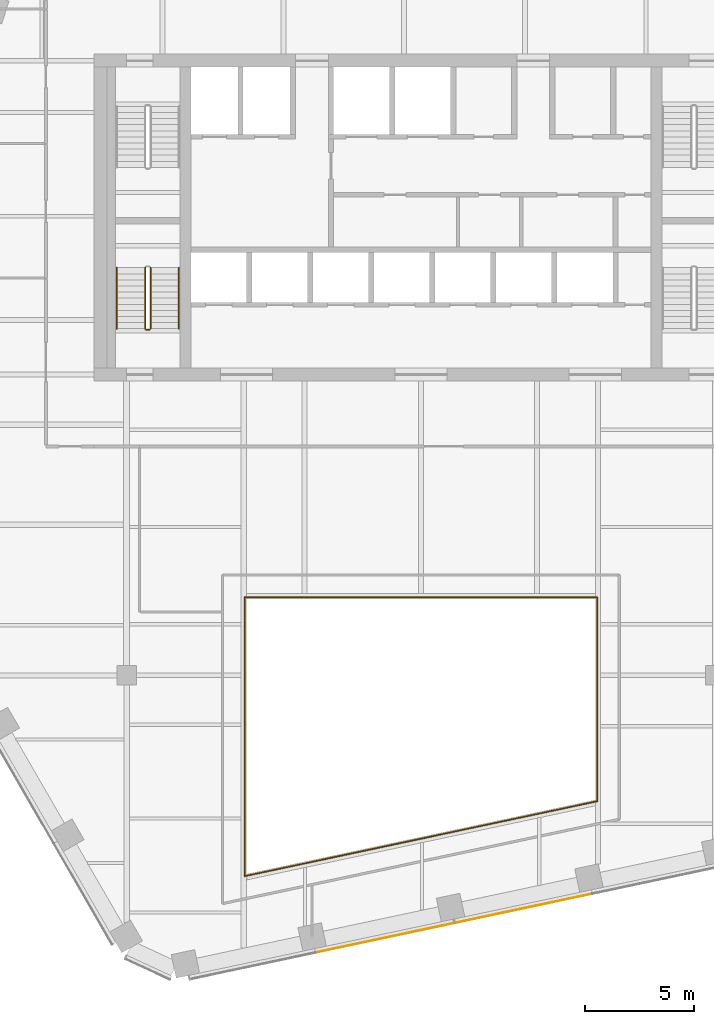
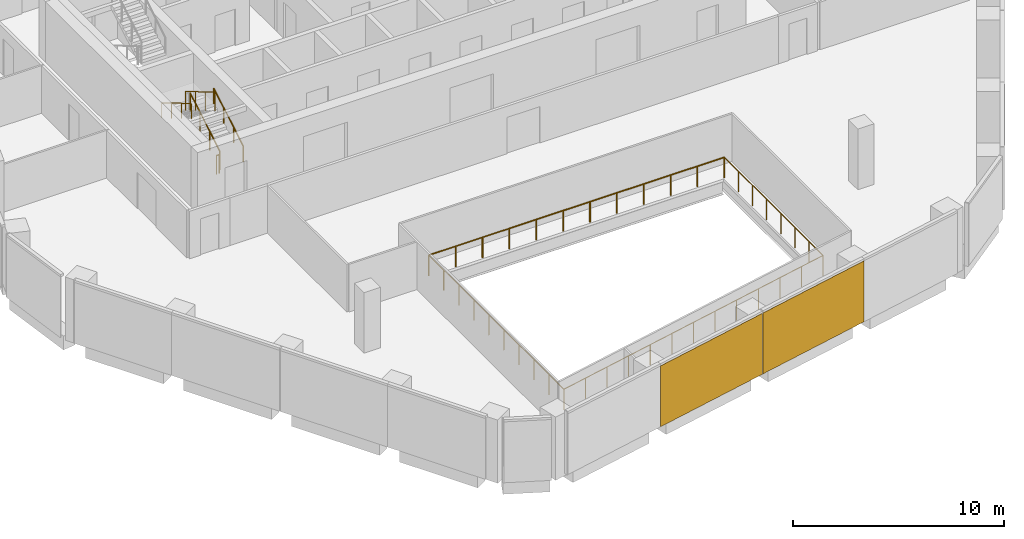
# One storey, part 12 of 15: 9 railings, 2 coverings, 1 element without a shape of its own.
"""IFC4 building model written with IfcOpenShell, lengths in metres."""

from ifc_helpers import new_model, si_unit, direction, frame, origin, origin_2d, place, context, subcontext, project, spatial, rectangle, circle, extrude, material, layer, layer_set, type_object, element, aggregate, save


model = new_model("IFC4")

# Units and contexts
model_context = context("Model", 3, precision=1e-05, world=origin(), true_north=direction((0.0, 1.0)))
body_context = subcontext(model_context, "Body", "Model", "MODEL_VIEW")
ifc_project = project(units=[si_unit("LENGTHUNIT", "METRE"), si_unit("AREAUNIT", "SQUARE_METRE"), si_unit("VOLUMEUNIT", "CUBIC_METRE"), si_unit("PLANEANGLEUNIT", "RADIAN"), si_unit("MASSUNIT", "GRAM", prefix="KILO")], contexts=[model_context])

# Site, building, storey
site_placement = place(None, origin())
site = spatial("IfcSite", under=ifc_project, at=site_placement, CompositionType="ELEMENT")
building_placement = place(site_placement, origin())
building = spatial("IfcBuilding", under=site, at=building_placement, Name="Isthmus Gate Tower", CompositionType="ELEMENT")
storey_placement = place(building_placement, frame((0.0, 0.0, 227.25)))
storey = spatial("IfcBuildingStorey", under=building, at=storey_placement, Name="L57", CompositionType="ELEMENT", Elevation=227.25)

# Railings
ifc_material_1 = material(Name="Laminated toughened glass balustrade with steel rail", Category="steel")
railing_type_1 = type_object("IfcRailingType", Name="ATRIUM GUARD GLASS BALUSTRADE 1200", PredefinedType="GUARDRAIL", material=ifc_material_1)
railing_1_placement = place(storey_placement, frame((-8.080078125, -22.7099609375, 0.0)))
element("IfcRailing", 1, at=railing_1_placement, inside=storey, type_object=railing_type_1, Name="L57 atrium guard", PredefinedType="GUARDRAIL", context=body_context, shape_type="SweptSolid", body=[
    extrude(circle(Radius=0.02490234375, at=origin_2d()), frame((0.0, 0.0, 1.1748046875), z_axis=(0.0, 1.0, 0.0), x_axis=(-1.0, 0.0, 0.0)), (0.0, 0.0, 1.0), 12.7900390625),
    extrude(circle(Radius=0.02490234375, at=origin_2d()), origin(), (0.0, 0.0, 1.0), 1.14990234375),
    extrude(circle(Radius=0.02490234375, at=origin_2d()), frame((0.0, 1.421142578125, 0.0)), (0.0, 0.0, 1.0), 1.14990234375),
    extrude(circle(Radius=0.02490234375, at=origin_2d()), frame((0.0, 2.84228515625, 0.0)), (0.0, 0.0, 1.0), 1.14990234375),
    extrude(circle(Radius=0.02490234375, at=origin_2d()), frame((0.0, 4.263427734375, 0.0)), (0.0, 0.0, 1.0), 1.14990234375),
    extrude(circle(Radius=0.02490234375, at=origin_2d()), frame((0.0, 5.6845703125, 0.0)), (0.0, 0.0, 1.0), 1.14990234375),
    extrude(circle(Radius=0.02490234375, at=origin_2d()), frame((0.0, 7.10546875, 0.0)), (0.0, 0.0, 1.0), 1.14990234375),
    extrude(circle(Radius=0.02490234375, at=origin_2d()), frame((0.0, 8.526611328125, 0.0)), (0.0, 0.0, 1.0), 1.14990234375),
    extrude(circle(Radius=0.02490234375, at=origin_2d()), frame((0.0, 9.94775390625, 0.0)), (0.0, 0.0, 1.0), 1.14990234375),
    extrude(circle(Radius=0.02490234375, at=origin_2d()), frame((0.0, 11.368896484375, 0.0)), (0.0, 0.0, 1.0), 1.14990234375),
    extrude(circle(Radius=0.02490234375, at=origin_2d()), frame((0.0, 12.7900390625, 0.0)), (0.0, 0.0, 1.0), 1.14990234375),
])
railing_2_placement = place(storey_placement, frame((-8.080078125, -9.919921875, 0.0)))
element("IfcRailing", 2, at=railing_2_placement, inside=storey, type_object=railing_type_1, Name="L57 atrium guard", PredefinedType="GUARDRAIL", context=body_context, shape_type="SweptSolid", body=[
    extrude(circle(Radius=0.02490234375, at=origin_2d()), frame((0.0, 0.0, 1.1748046875), z_axis=(1.0, 0.0, 0.0), x_axis=(0.0, 1.0, 0.0)), (0.0, 0.0, 1.0), 16.16015625),
    extrude(circle(Radius=0.02490234375, at=origin_2d()), origin(), (0.0, 0.0, 1.0), 1.14990234375),
    extrude(circle(Radius=0.02490234375, at=origin_2d()), frame((1.468994140625, 0.0, 0.0)), (0.0, 0.0, 1.0), 1.14990234375),
    extrude(circle(Radius=0.02490234375, at=origin_2d()), frame((2.938232421875, 0.0, 0.0)), (0.0, 0.0, 1.0), 1.14990234375),
    extrude(circle(Radius=0.02490234375, at=origin_2d()), frame((4.4072265625, 0.0, 0.0)), (0.0, 0.0, 1.0), 1.14990234375),
    extrude(circle(Radius=0.02490234375, at=origin_2d()), frame((5.87646484375, 0.0, 0.0)), (0.0, 0.0, 1.0), 1.14990234375),
    extrude(circle(Radius=0.02490234375, at=origin_2d()), frame((7.345458984375, 0.0, 0.0)), (0.0, 0.0, 1.0), 1.14990234375),
    extrude(circle(Radius=0.02490234375, at=origin_2d()), frame((8.814697265625, 0.0, 0.0)), (0.0, 0.0, 1.0), 1.14990234375),
    extrude(circle(Radius=0.02490234375, at=origin_2d()), frame((10.28369140625, 0.0, 0.0)), (0.0, 0.0, 1.0), 1.14990234375),
    extrude(circle(Radius=0.02490234375, at=origin_2d()), frame((11.7529296875, 0.0, 0.0)), (0.0, 0.0, 1.0), 1.14990234375),
    extrude(circle(Radius=0.02490234375, at=origin_2d()), frame((13.221923828125, 0.0, 0.0)), (0.0, 0.0, 1.0), 1.14990234375),
    extrude(circle(Radius=0.02490234375, at=origin_2d()), frame((14.691162109375, 0.0, 0.0)), (0.0, 0.0, 1.0), 1.14990234375),
    extrude(circle(Radius=0.02490234375, at=origin_2d()), frame((16.16015625, 0.0, 0.0)), (0.0, 0.0, 1.0), 1.14990234375),
])
railing_3_placement = place(storey_placement, frame((8.080078125, -9.919921875, 0.0)))
element("IfcRailing", 3, at=railing_3_placement, inside=storey, type_object=railing_type_1, Name="L57 atrium guard", PredefinedType="GUARDRAIL", context=body_context, shape_type="SweptSolid", body=[
    extrude(circle(Radius=0.02490234375, at=origin_2d()), frame((0.0, 0.0, 1.1748046875), z_axis=(0.0, -1.0, 0.0), x_axis=(1.0, 0.0, 0.0)), (0.0, 0.0, 1.0), 9.35498046875),
    extrude(circle(Radius=0.02490234375, at=origin_2d()), origin(), (0.0, 0.0, 1.0), 1.14990234375),
    extrude(circle(Radius=0.02490234375, at=origin_2d()), frame((0.0, -1.33642578125, 0.0)), (0.0, 0.0, 1.0), 1.14990234375),
    extrude(circle(Radius=0.02490234375, at=origin_2d()), frame((0.0, -2.6728515625, 0.0)), (0.0, 0.0, 1.0), 1.14990234375),
    extrude(circle(Radius=0.02490234375, at=origin_2d()), frame((0.0, -4.00927734375, 0.0)), (0.0, 0.0, 1.0), 1.14990234375),
    extrude(circle(Radius=0.02490234375, at=origin_2d()), frame((0.0, -5.345703125, 0.0)), (0.0, 0.0, 1.0), 1.14990234375),
    extrude(circle(Radius=0.02490234375, at=origin_2d()), frame((0.0, -6.68212890625, 0.0)), (0.0, 0.0, 1.0), 1.14990234375),
    extrude(circle(Radius=0.02490234375, at=origin_2d()), frame((0.0, -8.0185546875, 0.0)), (0.0, 0.0, 1.0), 1.14990234375),
    extrude(circle(Radius=0.02490234375, at=origin_2d()), frame((0.0, -9.35498046875, 0.0)), (0.0, 0.0, 1.0), 1.14990234375),
])
railing_4_placement = place(storey_placement, frame((8.080078125, -19.27490234375, 0.0)))
element("IfcRailing", 4, at=railing_4_placement, inside=storey, type_object=railing_type_1, Name="L57 atrium guard", PredefinedType="GUARDRAIL", context=body_context, shape_type="SweptSolid", body=[
    extrude(circle(Radius=0.02490234375, at=origin_2d()), frame((0.0, 0.0, 1.1748046875), z_axis=(-0.978146230105, -0.207918139013, 0.0), x_axis=(0.207918139013, -0.978146230105, 0.0)), (0.0, 0.0, 1.0), 16.521240234375),
    extrude(circle(Radius=0.02490234375, at=origin_2d()), origin(), (0.0, 0.0, 1.0), 1.14990234375),
    extrude(circle(Radius=0.02490234375, at=origin_2d()), frame((-1.3466796875, -0.2861328125, 0.0)), (0.0, 0.0, 1.0), 1.14990234375),
    extrude(circle(Radius=0.02490234375, at=origin_2d()), frame((-2.693359375, -0.572509765625, 0.0)), (0.0, 0.0, 1.0), 1.14990234375),
    extrude(circle(Radius=0.02490234375, at=origin_2d()), frame((-4.0400390625, -0.85888671875, 0.0)), (0.0, 0.0, 1.0), 1.14990234375),
    extrude(circle(Radius=0.02490234375, at=origin_2d()), frame((-5.38671875, -1.14501953125, 0.0)), (0.0, 0.0, 1.0), 1.14990234375),
    extrude(circle(Radius=0.02490234375, at=origin_2d()), frame((-6.7333984375, -1.43115234375, 0.0)), (0.0, 0.0, 1.0), 1.14990234375),
    extrude(circle(Radius=0.02490234375, at=origin_2d()), frame((-8.080078125, -1.717529296875, 0.0)), (0.0, 0.0, 1.0), 1.14990234375),
    extrude(circle(Radius=0.02490234375, at=origin_2d()), frame((-9.4267578125, -2.00390625, 0.0)), (0.0, 0.0, 1.0), 1.14990234375),
    extrude(circle(Radius=0.02490234375, at=origin_2d()), frame((-10.7734375, -2.2900390625, 0.0)), (0.0, 0.0, 1.0), 1.14990234375),
    extrude(circle(Radius=0.02490234375, at=origin_2d()), frame((-12.1201171875, -2.576171875, 0.0)), (0.0, 0.0, 1.0), 1.14990234375),
    extrude(circle(Radius=0.02490234375, at=origin_2d()), frame((-13.466796875, -2.862548828125, 0.0)), (0.0, 0.0, 1.0), 1.14990234375),
    extrude(circle(Radius=0.02490234375, at=origin_2d()), frame((-14.8134765625, -3.14892578125, 0.0)), (0.0, 0.0, 1.0), 1.14990234375),
    extrude(circle(Radius=0.02490234375, at=origin_2d()), frame((-16.16015625, -3.43505859375, 0.0)), (0.0, 0.0, 1.0), 1.14990234375),
])

# Curtain wall, coverings
ifc_material_2 = material(Name="Aluminium, pale champagne anodised", Category="aluminium")
ifc_layer_1 = layer(ifc_material_2, 0.199951171875)
ifc_layer_set_1 = layer_set([ifc_layer_1], Name="CW-1 UNITISED CURTAIN WALL 200 DEEP")
curtain_wall_type = type_object("IfcCurtainWallType", Name="CW-1 UNITISED CURTAIN WALL 200 DEEP", PredefinedType="NOTDEFINED", material=ifc_layer_set_1)
curtain_wall_placement = place(storey_placement, origin())
curtain_wall = element("IfcCurtainWall", 5, at=curtain_wall_placement, inside=storey, type_object=curtain_wall_type, Name="CW-1 S L57", PredefinedType="NOTDEFINED")
ifc_material_3 = material(Name="Aluminium composite panel, pale champagne anodised", Category="aluminium")
ifc_layer_2 = layer(ifc_material_3, 0.031982421875)
ifc_layer_set_2 = layer_set([ifc_layer_2], Name="CW-1 PALE METAL PANEL 32")
covering_type = type_object("IfcCoveringType", Name="CW-1 PALE METAL PANEL 32", PredefinedType="CLADDING", material=ifc_layer_set_2)
covering_1_placement = place(storey_placement, frame((-1.66259765625, -25.54150390625, 0.0), z_axis=(0.0, 0.0, 1.0), x_axis=(0.978147600734, 0.207911690818, 0.0)))
covering_1 = element("IfcCovering", 6, at=covering_1_placement, type_object=covering_type, Name="CW-1 pale metal panel", PredefinedType="CLADDING", context=body_context, shape_type="SweptSolid", body=[
    extrude(rectangle(XDim=6.491943359375, YDim=0.031982421875, at=origin_2d()), origin(), (0.0, 0.0, 1.0), 3.52001953125),
])
covering_2_placement = place(storey_placement, frame((4.716796875, -24.185546875, 0.0), z_axis=(0.0, 0.0, 1.0), x_axis=(0.978147600734, 0.207911690818, 0.0)))
covering_2 = element("IfcCovering", 7, at=covering_2_placement, type_object=covering_type, Name="CW-1 pale metal panel", PredefinedType="CLADDING", context=body_context, shape_type="SweptSolid", body=[
    extrude(rectangle(XDim=6.431884765625, YDim=0.031982421875, at=origin_2d()), origin(), (0.0, 0.0, 1.0), 3.52001953125),
])
aggregate(curtain_wall, [covering_1, covering_2])

# Railings
ifc_material_4 = material(Name="Stainless steel balustrade", Category="steel")
railing_type_2 = type_object("IfcRailingType", Name="STAIR GUARD 1100", PredefinedType="GUARDRAIL", material=ifc_material_4)
railing_5_placement = place(storey_placement, frame((-12.39990234375, 2.39990234375, 0.166015625)))
element("IfcRailing", 8, at=railing_5_placement, inside=storey, type_object=railing_type_2, Name="L57 ST7 stair guard 1", PredefinedType="GUARDRAIL", context=body_context, shape_type="SweptSolid", body=[
    extrude(circle(Radius=0.02392578125, at=origin_2d()), frame((0.0, 0.0, 1.076171875), z_axis=(0.0, 0.860339051648, 0.50972219513), x_axis=(-1.0, 0.0, 0.0)), (0.0, 0.0, 1.0), 3.254638671875),
    extrude(circle(Radius=0.02099609375, at=origin_2d()), origin(), (0.0, 0.0, 1.0), 1.052001953125),
    extrude(circle(Radius=0.02099609375, at=origin_2d()), frame((0.0, 0.933349609375, 0.552978515625)), (0.0, 0.0, 1.0), 1.052001953125),
    extrude(circle(Radius=0.02099609375, at=origin_2d()), frame((0.0, 1.86669921875, 1.10595703125)), (0.0, 0.0, 1.0), 1.052001953125),
    extrude(circle(Radius=0.02099609375, at=origin_2d()), frame((0.0, 2.800048828125, 1.658935546875)), (0.0, 0.0, 1.0), 1.052001953125),
])
railing_6_placement = place(storey_placement, frame((-12.64990234375, 5.199951171875, 1.990966796875)))
element("IfcRailing", 9, at=railing_6_placement, inside=storey, type_object=railing_type_2, Name="L57 ST7 stair guard 3", PredefinedType="GUARDRAIL", context=body_context, shape_type="SweptSolid", body=[
    extrude(circle(Radius=0.02392578125, at=origin_2d()), frame((0.0, 0.0, 1.076171875), z_axis=(0.0, -0.860339051648, 0.50972219513), x_axis=(1.0, 0.0, 0.0)), (0.0, 0.0, 1.0), 3.254638671875),
    extrude(circle(Radius=0.02099609375, at=origin_2d()), origin(), (0.0, 0.0, 1.0), 1.052001953125),
    extrude(circle(Radius=0.02099609375, at=origin_2d()), frame((0.0, -0.933349609375, 0.552978515625)), (0.0, 0.0, 1.0), 1.052001953125),
    extrude(circle(Radius=0.02099609375, at=origin_2d()), frame((0.0, -1.86669921875, 1.10595703125)), (0.0, 0.0, 1.0), 1.052001953125),
    extrude(circle(Radius=0.02099609375, at=origin_2d()), frame((0.0, -2.800048828125, 1.658935546875)), (0.0, 0.0, 1.0), 1.052001953125),
])
railing_7_placement = place(storey_placement, frame((-12.449951171875, 2.35009765625, 0.0)))
element("IfcRailing", 10, at=railing_7_placement, inside=storey, type_object=railing_type_2, Name="L57 ST7 stair guard 4", PredefinedType="GUARDRAIL", context=body_context, shape_type="SweptSolid", body=[
    extrude(circle(Radius=0.02392578125, at=origin_2d()), frame((0.0, 0.0, 1.076171875), z_axis=(-1.0, 0.0, 0.0), x_axis=(0.0, -1.0, 0.0)), (0.0, 0.0, 1.0), 0.150146484375),
    extrude(circle(Radius=0.02099609375, at=origin_2d()), origin(), (0.0, 0.0, 1.0), 1.052001953125),
    extrude(circle(Radius=0.02099609375, at=origin_2d()), frame((-0.150146484375, 0.0, 0.0)), (0.0, 0.0, 1.0), 1.052001953125),
])
ifc_material_5 = material(Name="Stainless steel handrail", Category="steel")
railing_type_3 = type_object("IfcRailingType", Name="STAIR HANDRAIL 900", PredefinedType="HANDRAIL", material=ifc_material_5)
railing_8_placement = place(storey_placement, frame((-11.10009765625, 2.39990234375, 0.166015625)))
element("IfcRailing", 11, at=railing_8_placement, inside=storey, type_object=railing_type_3, Name="L57 ST7 stair handrail 1", PredefinedType="HANDRAIL", context=body_context, shape_type="SweptSolid", body=[
    extrude(circle(Radius=0.02392578125, at=origin_2d()), frame((0.0, 0.0, 0.8759765625), z_axis=(0.0, 0.860339051648, 0.50972219513), x_axis=(-1.0, 0.0, 0.0)), (0.0, 0.0, 1.0), 3.254638671875),
    extrude(circle(Radius=0.02099609375, at=origin_2d()), origin(), (0.0, 0.0, 1.0), 0.851806640625),
    extrude(circle(Radius=0.02099609375, at=origin_2d()), frame((0.0, 0.933349609375, 0.552978515625)), (0.0, 0.0, 1.0), 0.851806640625),
    extrude(circle(Radius=0.02099609375, at=origin_2d()), frame((0.0, 1.86669921875, 1.10595703125)), (0.0, 0.0, 1.0), 0.851806640625),
    extrude(circle(Radius=0.02099609375, at=origin_2d()), frame((0.0, 2.800048828125, 1.658935546875)), (0.0, 0.0, 1.0), 0.851806640625),
])
railing_9_placement = place(storey_placement, frame((-13.949951171875, 5.199951171875, 1.990966796875)))
element("IfcRailing", 12, at=railing_9_placement, inside=storey, type_object=railing_type_3, Name="L57 ST7 stair handrail 2", PredefinedType="HANDRAIL", context=body_context, shape_type="SweptSolid", body=[
    extrude(circle(Radius=0.02392578125, at=origin_2d()), frame((0.0, 0.0, 0.8759765625), z_axis=(0.0, -0.860339051648, 0.50972219513), x_axis=(1.0, 0.0, 0.0)), (0.0, 0.0, 1.0), 3.254638671875),
    extrude(circle(Radius=0.02099609375, at=origin_2d()), origin(), (0.0, 0.0, 1.0), 0.851806640625),
    extrude(circle(Radius=0.02099609375, at=origin_2d()), frame((0.0, -0.933349609375, 0.552978515625)), (0.0, 0.0, 1.0), 0.851806640625),
    extrude(circle(Radius=0.02099609375, at=origin_2d()), frame((0.0, -1.86669921875, 1.10595703125)), (0.0, 0.0, 1.0), 0.851806640625),
    extrude(circle(Radius=0.02099609375, at=origin_2d()), frame((0.0, -2.800048828125, 1.658935546875)), (0.0, 0.0, 1.0), 0.851806640625),
])

save(model, "model.ifc")
